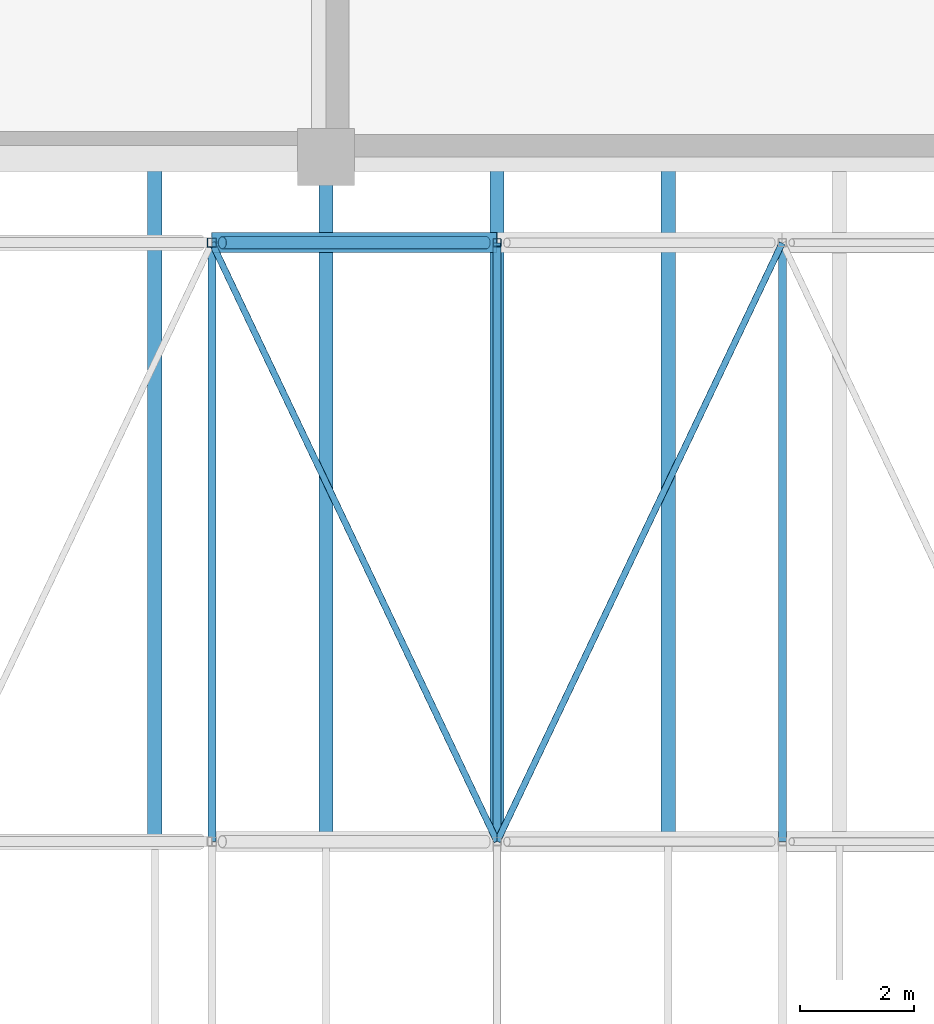
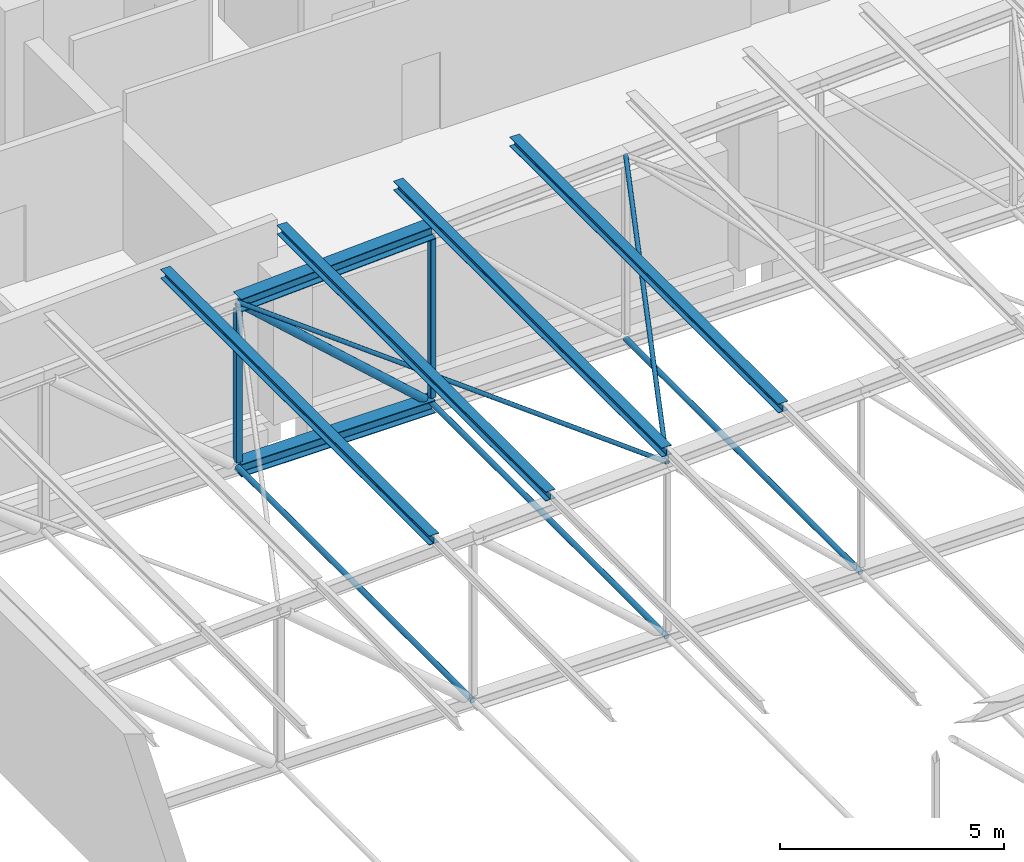
# One storey, part 112 of 156: 14 members.
"""IFC4 building model written with IfcOpenShell, lengths in metres."""

from ifc_helpers import new_model, si_unit, direction, frame, origin, origin_2d, place, context, subcontext, project, spatial, hollow_rectangle, hollow_circle, i_section, extrude, material, material_profile, profile_set, type_object, element, save


model = new_model("IFC4")

# Units and contexts
model_context = context("Model", 3, precision=1e-05, world=origin(), true_north=direction((0.0, 1.0)))
body_context = subcontext(model_context, "Body", "Model", "MODEL_VIEW")
ifc_project = project(units=[si_unit("LENGTHUNIT", "METRE"), si_unit("AREAUNIT", "SQUARE_METRE"), si_unit("VOLUMEUNIT", "CUBIC_METRE"), si_unit("PLANEANGLEUNIT", "RADIAN"), si_unit("MASSUNIT", "GRAM", prefix="KILO")], contexts=[model_context])

# Site, building, storey
site_placement = place(None, origin())
site = spatial("IfcSite", under=ifc_project, at=site_placement, CompositionType="ELEMENT")
building_placement = place(site_placement, origin())
building = spatial("IfcBuilding", under=site, at=building_placement, Name="Lilac Gate Convention Centre", CompositionType="ELEMENT")
storey_placement = place(building_placement, frame((0.0, 0.0, 17.0)))
storey = spatial("IfcBuildingStorey", under=building, at=storey_placement, Name="L03", CompositionType="ELEMENT", Elevation=17.0)

# Members
ifc_material = material(Name="Steel Q355B", Category="steel")
ifc_material_profile_1 = material_profile(ifc_material, hollow_circle(Radius=0.06982421875, WallThickness=0.0048828125, at=origin_2d()), Name="CHS139.7x5")
ifc_profile_set_1 = profile_set([ifc_material_profile_1], Name="Steel Q355B")
member_type_1 = type_object("IfcMemberType", Name="Bottom chord tie CHS139.7x5", PredefinedType="STRUT", material=ifc_profile_set_1)
member_1_placement = place(storey_placement, frame((40.0, 210.00341796875, 0.0), z_axis=(0.0, 1.0, 0.0), x_axis=(-1.0, 0.0, 0.0)))
element("IfcMember", 1, at=member_1_placement, inside=storey, type_object=member_type_1, Name="ST1 tie bay 16 node 3", PredefinedType="STRUT", context=body_context, shape_type="SweptSolid", body=[
    extrude(hollow_circle(Radius=0.06982421875, WallThickness=0.0048828125, at=origin_2d()), origin(), (0.0, 0.0, 1.0), 10.4931640625),
])
for number, where, z_axis, x_axis, name in (
    (2, (45.0, 210.006103515625, 0.0), (0.0, 1.0, 0.0), (-1.0, 0.0, 0.0), "ST1 tie bay 16 node 4"),
    (3, (50.0, 210.006103515625, 0.0), (0.0, 1.0, 0.0), (-1.0, 0.0, 0.0), "ST1 tie bay 16 node 5"),
):
    element("IfcMember", number, at=place(storey_placement, frame(where, z_axis=z_axis, x_axis=x_axis)), inside=storey, type_object=member_type_1, Name=name, PredefinedType="STRUT", context=body_context, shape_type="SweptSolid", body=[
        extrude(hollow_circle(Radius=0.06982421875, WallThickness=0.0048828125, at=origin_2d()), origin(), (0.0, 0.0, 1.0), 10.48779296875),
    ])
ifc_material_profile_2 = material_profile(ifc_material, hollow_circle(Radius=0.05712890625, WallThickness=0.0048828125, at=origin_2d()), Name="CHS114.3x5")
ifc_profile_set_2 = profile_set([ifc_material_profile_2], Name="Steel Q355B")
member_type_2 = type_object("IfcMemberType", Name="Roof plane bracing CHS114.3x5", PredefinedType="BRACE", material=ifc_profile_set_2)
member_2_placement = place(storey_placement, frame((40.001708984375, 220.49658203125, 4.5), z_axis=(0.429822733315, -0.902657142475, 0.021505837922), x_axis=(0.902865954854, 0.429922164543, 0.0)))
element("IfcMember", 4, at=member_2_placement, inside=storey, type_object=member_type_2, Name="BR1 plan bracing bay 16 panel 3", PredefinedType="BRACE", context=body_context, shape_type="SweptSolid", body=[
    extrude(hollow_circle(Radius=0.05712890625, WallThickness=0.0048828125, at=origin_2d()), origin(), (0.0, 0.0, 1.0), 11.624755859375),
])
member_3_placement = place(storey_placement, frame((45.0029296875, 210.006103515625, 4.75), z_axis=(0.429830782979, 0.902653049237, 0.021516754095), x_axis=(-0.902862072779, 0.429930317072, 0.0)))
element("IfcMember", 5, at=member_3_placement, inside=storey, type_object=member_type_2, Name="BR1 plan bracing bay 16 panel 4", PredefinedType="BRACE", context=body_context, shape_type="SweptSolid", body=[
    extrude(hollow_circle(Radius=0.05712890625, WallThickness=0.0048828125, at=origin_2d()), origin(), (0.0, 0.0, 1.0), 11.618896484375),
])
ifc_material_profile_3 = material_profile(ifc_material, i_section(OverallWidth=0.25, OverallDepth=0.25, WebThickness=0.009033203125, FlangeThickness=0.013916015625, FilletRadius=0.012939453125, at=origin_2d()), Name="HW250x250x9x14")
ifc_profile_set_3 = profile_set([ifc_material_profile_3], Name="Steel Q355B")
member_type_3 = type_object("IfcMemberType", Name="Roof purlin HW250x250x9x14", PredefinedType="PURLIN", material=ifc_profile_set_3)
for number, where, z_axis, x_axis, name in (
    (6, (39.0, 210.0, 4.750244140625), (0.0, 1.0, 0.0), (-1.0, 0.0, 0.0), "PU1 purlin bay 16 line 4"),
    (7, (42.0, 210.0, 4.900146484375), (0.0, 1.0, 0.0), (-1.0, 0.0, 0.0), "PU1 purlin bay 16 line 5"),
    (8, (45.0, 210.0, 5.05029296875), (0.0, 1.0, 0.0), (-1.0, 0.0, 0.0), "PU1 purlin bay 16 line 6"),
    (9, (48.0, 210.0, 5.2001953125), (0.0, 1.0, 0.0), (-1.0, 0.0, 0.0), "PU1 purlin bay 16 line 7"),
):
    element("IfcMember", number, at=place(storey_placement, frame(where, z_axis=z_axis, x_axis=x_axis)), inside=storey, type_object=member_type_3, Name=name, PredefinedType="PURLIN", context=body_context, shape_type="SweptSolid", body=[
        extrude(i_section(OverallWidth=0.25, OverallDepth=0.25, WebThickness=0.009033203125, FlangeThickness=0.013916015625, FilletRadius=0.012939453125, at=origin_2d()), origin(), (0.0, 0.0, 1.0), 12.0),
    ])
ifc_material_profile_4 = material_profile(ifc_material, i_section(OverallWidth=0.35009765625, OverallDepth=0.35009765625, WebThickness=0.011962890625, FlangeThickness=0.01904296875, FilletRadius=0.012939453125, at=origin_2d()), Name="HW350x350x12x19")
ifc_profile_set_4 = profile_set([ifc_material_profile_4], Name="Steel Q355B")
member_type_4 = type_object("IfcMemberType", Name="Truss bottom chord HW350x350x12x19", PredefinedType="CHORD", material=ifc_profile_set_4)
member_4_placement = place(storey_placement, frame((40.0, 220.5, 0.0), z_axis=(1.0, 0.0, 0.0), x_axis=(0.0, 1.0, 0.0)))
element("IfcMember", 10, at=member_4_placement, inside=storey, type_object=member_type_4, Name="TB2 truss 17 bottom chord 3", PredefinedType="CHORD", context=body_context, shape_type="SweptSolid", body=[
    extrude(i_section(OverallWidth=0.35009765625, OverallDepth=0.35009765625, WebThickness=0.011962890625, FlangeThickness=0.01904296875, FilletRadius=0.012939453125, at=origin_2d()), origin(), (0.0, 0.0, 1.0), 5.0),
])
ifc_material_profile_5 = material_profile(ifc_material, hollow_circle(Radius=0.109619140625, WallThickness=0.008056640625, at=origin_2d()), Name="CHS219.1x8")
ifc_profile_set_5 = profile_set([ifc_material_profile_5], Name="Steel Q355B")
member_type_5 = type_object("IfcMemberType", Name="Truss diagonal CHS219.1x8", PredefinedType="BRACE", material=ifc_profile_set_5)
member_5_placement = place(storey_placement, frame((40.1826171875, 220.5, 4.335693359375), z_axis=(0.743301953498, 0.0, -0.668956056797), x_axis=(0.0, 1.0, 0.0)))
element("IfcMember", 11, at=member_5_placement, inside=storey, type_object=member_type_5, Name="TW3 truss 17 diagonal 3", PredefinedType="BRACE", context=body_context, shape_type="SweptSolid", body=[
    extrude(hollow_circle(Radius=0.109619140625, WallThickness=0.008056640625, at=origin_2d()), origin(), (0.0, 0.0, 1.0), 6.2197265625),
])
ifc_material_profile_6 = material_profile(ifc_material, i_section(OverallWidth=0.35009765625, OverallDepth=0.35009765625, WebThickness=0.011962890625, FlangeThickness=0.01904296875, FilletRadius=0.012939453125, at=origin_2d()), Name="HW350x350x12x19")
ifc_profile_set_6 = profile_set([ifc_material_profile_6], Name="Steel Q355B")
member_type_6 = type_object("IfcMemberType", Name="Truss top chord HW350x350x12x19", PredefinedType="CHORD", material=ifc_profile_set_6)
member_6_placement = place(storey_placement, frame((40.0, 220.5, 4.5), z_axis=(0.998752338878, 0.0, 0.049937616944), x_axis=(0.0, 1.0, 0.0)))
element("IfcMember", 12, at=member_6_placement, inside=storey, type_object=member_type_6, Name="TT2 truss 17 top chord 3", PredefinedType="CHORD", context=body_context, shape_type="SweptSolid", body=[
    extrude(i_section(OverallWidth=0.35009765625, OverallDepth=0.35009765625, WebThickness=0.011962890625, FlangeThickness=0.01904296875, FilletRadius=0.012939453125, at=origin_2d()), origin(), (0.0, 0.0, 1.0), 5.00634765625),
])
ifc_material_profile_7 = material_profile(ifc_material, hollow_rectangle(XDim=0.139892578125, YDim=0.139892578125, WallThickness=0.0048828125, InnerFilletRadius=0.0048828125, OuterFilletRadius=0.010009765625, at=origin_2d()), Name="SHS140x140x5")
ifc_profile_set_7 = profile_set([ifc_material_profile_7], Name="Steel Q355B")
member_type_7 = type_object("IfcMemberType", Name="Truss vertical SHS140x140x5", PredefinedType="STRUT", material=ifc_profile_set_7)
member_7_placement = place(storey_placement, frame((45.0, 220.5, 0.175048828125), z_axis=(0.0, 0.0, 1.0), x_axis=(1.0, 0.0, 0.0)))
element("IfcMember", 13, at=member_7_placement, inside=storey, type_object=member_type_7, Name="TV4 truss 17 vertical 4", PredefinedType="STRUT", context=body_context, shape_type="SweptSolid", body=[
    extrude(hollow_rectangle(XDim=0.139892578125, YDim=0.139892578125, WallThickness=0.0048828125, InnerFilletRadius=0.0048828125, OuterFilletRadius=0.010009765625, at=origin_2d()), origin(), (0.0, 0.0, 1.0), 4.399658203125),
])
ifc_material_profile_8 = material_profile(ifc_material, hollow_rectangle(XDim=0.159912109375, YDim=0.159912109375, WallThickness=0.006103515625, InnerFilletRadius=0.006103515625, OuterFilletRadius=0.011962890625, at=origin_2d()), Name="SHS160x160x6")
ifc_profile_set_8 = profile_set([ifc_material_profile_8], Name="Steel Q355B")
member_type_8 = type_object("IfcMemberType", Name="Truss vertical SHS160x160x6", PredefinedType="STRUT", material=ifc_profile_set_8)
member_8_placement = place(storey_placement, frame((40.0, 220.5, 0.175048828125), z_axis=(0.0, 0.0, 1.0), x_axis=(1.0, 0.0, 0.0)))
element("IfcMember", 14, at=member_8_placement, inside=storey, type_object=member_type_8, Name="TV3 truss 17 vertical 3", PredefinedType="STRUT", context=body_context, shape_type="SweptSolid", body=[
    extrude(hollow_rectangle(XDim=0.159912109375, YDim=0.159912109375, WallThickness=0.006103515625, InnerFilletRadius=0.006103515625, OuterFilletRadius=0.011962890625, at=origin_2d()), origin(), (0.0, 0.0, 1.0), 4.149658203125),
])

save(model, "model.ifc")
